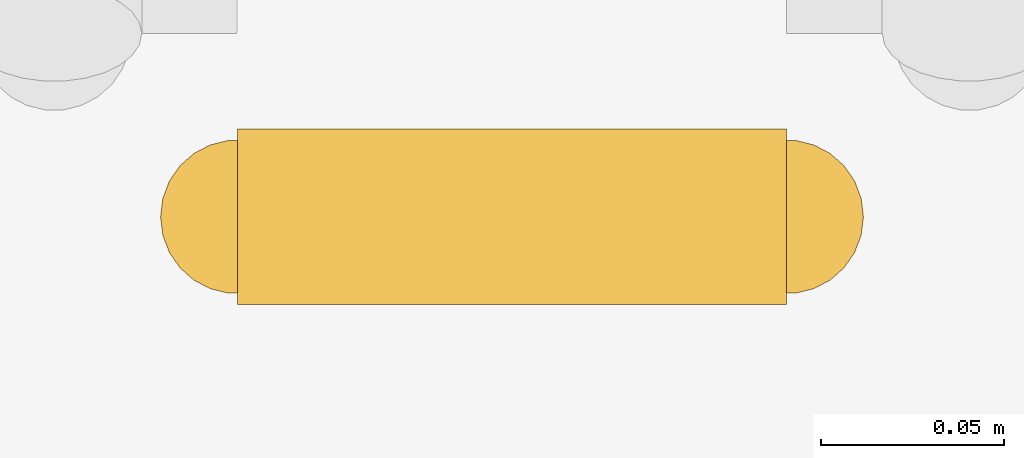
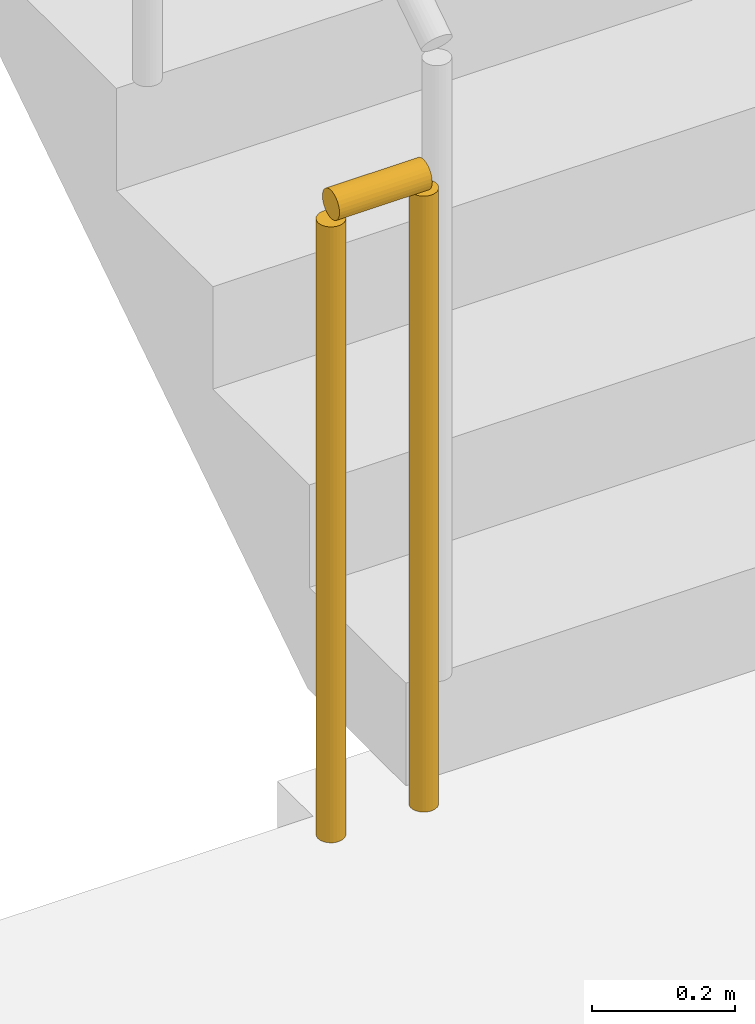
# One storey, part 14 of 19: 1 railing.
"""IFC4 building model written with IfcOpenShell, lengths in metres."""

from ifc_helpers import new_model, si_unit, direction, frame, origin, origin_2d, place, context, subcontext, project, spatial, circle, extrude, material, type_object, element, save


model = new_model("IFC4")

# Units and contexts
model_context = context("Model", 3, precision=1e-05, world=origin(), true_north=direction((0.0, 1.0)))
body_context = subcontext(model_context, "Body", "Model", "MODEL_VIEW")
ifc_project = project(units=[si_unit("LENGTHUNIT", "METRE"), si_unit("AREAUNIT", "SQUARE_METRE"), si_unit("VOLUMEUNIT", "CUBIC_METRE"), si_unit("PLANEANGLEUNIT", "RADIAN"), si_unit("MASSUNIT", "GRAM", prefix="KILO")], contexts=[model_context])

# Site, building, storey
site_placement = place(None, origin())
site = spatial("IfcSite", under=ifc_project, at=site_placement, CompositionType="ELEMENT")
building_placement = place(site_placement, origin())
building = spatial("IfcBuilding", under=site, at=building_placement, Name="Saffron Iwan Residences", CompositionType="ELEMENT")
storey_placement = place(building_placement, frame((0.0, 0.0, 264.0)))
storey = spatial("IfcBuildingStorey", under=building, at=storey_placement, Name="L71", CompositionType="ELEMENT", Elevation=264.0)

# Railing
ifc_material = material(Name="Steel S355", Category="steel")
railing_type = type_object("IfcRailingType", Name="Stair guard 1100", PredefinedType="GUARDRAIL", material=ifc_material)
railing_placement = place(storey_placement, frame((31.25, 67.800048828125, 0.0)))
element("IfcRailing", 1, at=railing_placement, inside=storey, type_object=railing_type, Name="L71 ST-W stair guard 2", PredefinedType="GUARDRAIL", context=body_context, shape_type="SweptSolid", body=[
    extrude(circle(Radius=0.02392578125, at=origin_2d()), frame((0.0, 0.0, 1.076171875), z_axis=(-1.0, 0.0, 0.0), x_axis=(0.0, -1.0, 0.0)), (0.0, 0.0, 1.0), 0.14990234375),
    extrude(circle(Radius=0.02099609375, at=origin_2d()), origin(), (0.0, 0.0, 1.0), 1.052001953125),
    extrude(circle(Radius=0.02099609375, at=origin_2d()), frame((-0.14990234375, 0.0, 0.0)), (0.0, 0.0, 1.0), 1.052001953125),
])

save(model, "model.ifc")
